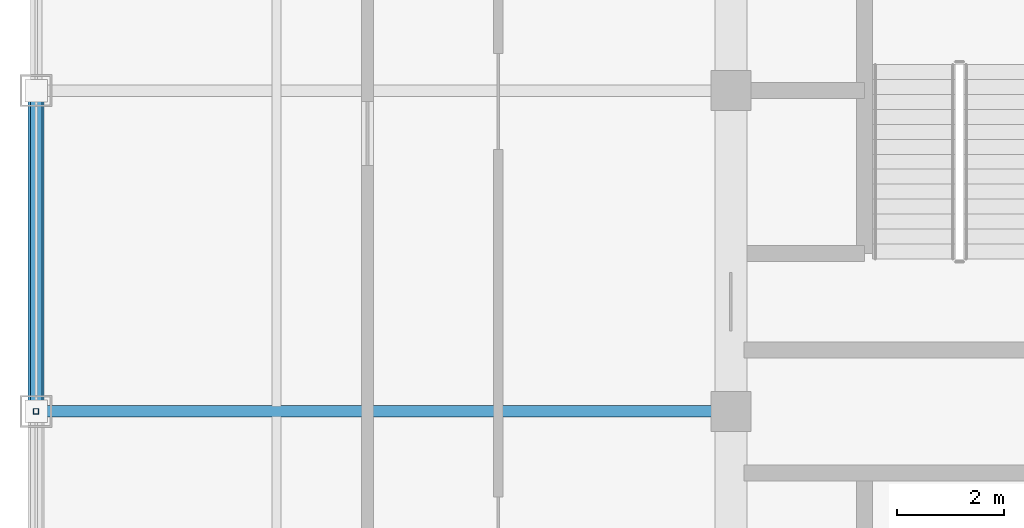
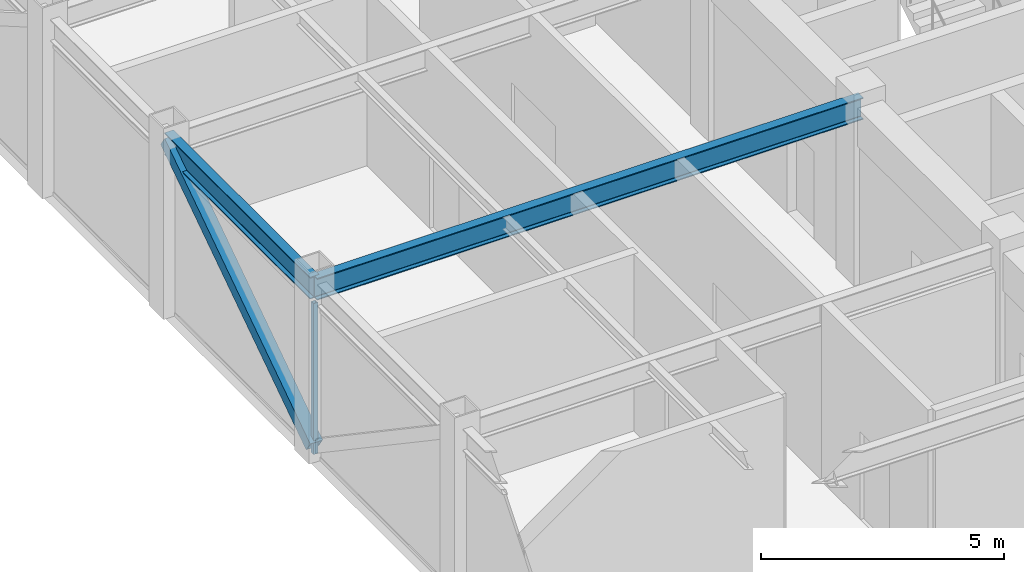
# One storey, part 6 of 27: 2 beams, 2 members, 1 element without a shape of its own.
"""IFC4 building model written with IfcOpenShell, lengths in metres."""

import ifcopenshell
import ifcopenshell.guid

model = None  # the IFC model being written
_history = None  # IfcOwnerHistory: only IFC2X3 demands one
_inside = {}  # id of a spatial element -> (the spatial element, [elements in it])
_under = {}  # id of a project, library or spatial element -> (it, [spatial elements below it])
_declared = {}  # id of a project -> (the project, [libraries it declares])
_typed = {}  # id of a type object -> (the type object, [elements of that type])
_made_of = {}  # id of a material, layer set ... -> (it, [elements and type objects made of it])


def new_model(schema):
    """Start an empty IFC model of exactly this schema.

    Asked for "IFC4X3", IfcOpenShell would pick the latest addendum, in which some entities
    have other attributes; the version numbers below select the first issue.
    IFC2X3 requires an IfcOwnerHistory on every rooted entity: one is made here for all.
    """
    global model, _history
    if schema == "IFC4X3":
        model = ifcopenshell.file(schema_version=(4, 3, 0, 0))
    else:
        model = ifcopenshell.file(schema=schema)
    _inside.clear()
    _under.clear()
    _declared.clear()
    _typed.clear()
    _made_of.clear()
    _history = None
    if model.schema == "IFC2X3":
        org = make("IfcOrganization", Name="unknown")
        user = make(
            "IfcPersonAndOrganization",
            ThePerson=make("IfcPerson", FamilyName="unknown"),
            TheOrganization=org,
        )
        app = make(
            "IfcApplication",
            ApplicationDeveloper=org,
            Version="unknown",
            ApplicationFullName="unknown",
            ApplicationIdentifier="unknown",
        )
        _history = make(
            "IfcOwnerHistory",
            OwningUser=user,
            OwningApplication=app,
            ChangeAction="ADDED",
            CreationDate=0,
        )
    return model


def make(cls, **values):
    """One entity of the class cls with the attributes given. An attribute that is None is left unset."""
    return model.create_entity(
        cls, **{name: value for name, value in values.items() if value is not None}
    )


def rooted(cls, **values):
    """An entity with a GlobalId (a new one), such as an element, a storey or a relation."""
    return make(cls, GlobalId=ifcopenshell.guid.new(), OwnerHistory=_history, **values)


def si_unit(unit_type, name, prefix=None):
    """IfcSIUnit, for example si_unit("LENGTHUNIT", "METRE", prefix="MILLI")."""
    return make("IfcSIUnit", UnitType=unit_type, Prefix=prefix, Name=name)


def assignment(units):
    """IfcUnitAssignment: the units of a project."""
    return None if units is None else make("IfcUnitAssignment", Units=units)


def point(xyz):
    """IfcCartesianPoint."""
    return None if xyz is None else make("IfcCartesianPoint", Coordinates=xyz)


def direction(xyz):
    """IfcDirection."""
    return None if xyz is None else make("IfcDirection", DirectionRatios=xyz)


def frame(location, z_axis=None, x_axis=None):
    """IfcAxis2Placement3D, a coordinate frame: its origin and axes. An axis left out is left unset."""
    return make(
        "IfcAxis2Placement3D",
        Location=point(location),
        Axis=direction(z_axis),
        RefDirection=direction(x_axis),
    )


def frame_2d(location, x_axis=None):
    """IfcAxis2Placement2D, a coordinate frame in the plane: its origin and x axis."""
    return make(
        "IfcAxis2Placement2D", Location=point(location), RefDirection=direction(x_axis)
    )


def origin():
    """The frame at (0, 0, 0) with its axes left unset."""
    return frame((0.0, 0.0, 0.0))


def origin_2d():
    """The frame at (0, 0) in the plane with its x axis left unset."""
    return frame_2d((0.0, 0.0))


def place(relative_to, where):
    """IfcLocalPlacement: puts the frame where relative to a parent placement (None: the world)."""
    return make(
        "IfcLocalPlacement", PlacementRelTo=relative_to, RelativePlacement=where
    )


def context(
    kind, dimensions, precision=None, world=None, true_north=None, identifier=None
):
    """IfcGeometricRepresentationContext, for example the 3D "Model" context."""
    return make(
        "IfcGeometricRepresentationContext",
        ContextIdentifier=identifier,
        ContextType=kind,
        CoordinateSpaceDimension=dimensions,
        Precision=precision,
        WorldCoordinateSystem=world,
        TrueNorth=true_north,
    )


def subcontext(parent, identifier, kind, view, scale=None):
    """IfcGeometricRepresentationSubContext, for example "Body" below "Model"."""
    return make(
        "IfcGeometricRepresentationSubContext",
        ContextIdentifier=identifier,
        ContextType=kind,
        ParentContext=parent,
        TargetScale=scale,
        TargetView=view,
    )


def project(units=None, contexts=None):
    """IfcProject with its units and contexts."""
    return rooted(
        "IfcProject",
        Name="project",
        RepresentationContexts=contexts,
        UnitsInContext=assignment(units),
    )


def spatial(cls, under=None, at=None, **own):
    """A site, building, storey or space (cls), placed at a placement, below another one or the project."""
    s = rooted(cls, ObjectPlacement=at, **own)
    if under is not None:
        _under.setdefault(under.id(), (under, []))[1].append(s)
    return s


def profile(cls, at=None, kind="AREA", **sizes):
    """A parametric profile (cls). Its sizes go by their IFC names, for example OverallWidth=200.0."""
    return make(cls, ProfileType=kind, Position=at, **sizes)


def hollow_rectangle(**sizes):
    """IfcRectangleHollowProfileDef."""
    return profile("IfcRectangleHollowProfileDef", **sizes)


def i_section(**sizes):
    """IfcIShapeProfileDef."""
    return profile("IfcIShapeProfileDef", **sizes)


def extrude(swept, where, along, depth):
    """IfcExtrudedAreaSolid: the profile swept, set in the frame where, extruded along a direction by depth."""
    return make(
        "IfcExtrudedAreaSolid",
        SweptArea=swept,
        Position=where,
        ExtrudedDirection=direction(along),
        Depth=depth,
    )


def shape(context_of_items, identifier, shape_type, items):
    """IfcShapeRepresentation: the items that make up one representation, for example the "Body"."""
    return make(
        "IfcShapeRepresentation",
        ContextOfItems=context_of_items,
        RepresentationIdentifier=identifier,
        RepresentationType=shape_type,
        Items=items,
    )


def source(mapping_origin, context_of_items, identifier, shape_type, items):
    """IfcRepresentationMap: a shape defined once, which mapped items show again and again."""
    return make(
        "IfcRepresentationMap",
        MappingOrigin=mapping_origin,
        MappedRepresentation=shape(context_of_items, identifier, shape_type, items),
    )


def transform(
    local_origin,
    x_axis=None,
    y_axis=None,
    z_axis=None,
    scale=None,
    scale2=None,
    scale3=None,
    uniform=True,
):
    """IfcCartesianTransformationOperator3D, or its non-uniform kind. x_axis, y_axis, z_axis: its Axis1, 2, 3."""
    if uniform:
        return make(
            "IfcCartesianTransformationOperator3D",
            Axis1=direction(x_axis),
            Axis2=direction(y_axis),
            LocalOrigin=point(local_origin),
            Scale=scale,
            Axis3=direction(z_axis),
        )
    return make(
        "IfcCartesianTransformationOperator3DnonUniform",
        Axis1=direction(x_axis),
        Axis2=direction(y_axis),
        LocalOrigin=point(local_origin),
        Scale=scale,
        Axis3=direction(z_axis),
        Scale2=scale2,
        Scale3=scale3,
    )


def mapped(mapping_source, mapping_target):
    """IfcMappedItem: shows the shape of a source again, moved by a transform."""
    return make(
        "IfcMappedItem", MappingSource=mapping_source, MappingTarget=mapping_target
    )


def material(Name=None, Category=None):
    """IfcMaterial."""
    return make("IfcMaterial", Name=Name, Category=Category)


def material_profile(
    of_material, cross_section, Name=None, Category=None, Priority=None
):
    """IfcMaterialProfile: a cross section and its material."""
    return make(
        "IfcMaterialProfile",
        Name=Name,
        Material=of_material,
        Profile=cross_section,
        Priority=Priority,
        Category=Category,
    )


def profile_set(profiles, Name=None, composite=None):
    """IfcMaterialProfileSet."""
    return make(
        "IfcMaterialProfileSet",
        Name=Name,
        MaterialProfiles=profiles,
        CompositeProfile=composite,
    )


def made_of(thing, what):
    """Note that an element or type object is made of a material, layer set ...; save() writes the relation."""
    if what is not None:
        _made_of.setdefault(what.id(), (what, []))[1].append(thing)
    return thing


def type_object(cls, material=None, **own):
    """A type object (cls), such as IfcWallType, which elements share."""
    return made_of(rooted(cls, **own), material)


def element(
    cls,
    number,
    at=None,
    inside=None,
    cuts=None,
    type_object=None,
    material=None,
    context=None,
    identifier="Body",
    shape_type=None,
    held_by="IfcProductDefinitionShape",
    body=None,
    shapes=None,
    **own,
):
    """One element of the class cls, such as IfcWall. Its Tag is "e" and its number.

    at: its placement. inside: the storey or other place that contains it. cuts: it is an
    opening in that element (IfcRelVoidsElement). A single representation is given by context,
    identifier, shape_type and body (its items); several are given by shapes. held_by: the class
    of the entity that holds the representations. save() writes the other relations.
    """
    e = rooted(cls, Tag="e%d" % number, ObjectPlacement=at, **own)
    if body is not None:
        shapes = [shape(context, identifier, shape_type, body)]
    if shapes is not None:
        e.Representation = make(held_by, Representations=shapes)
    if inside is not None:
        _inside.setdefault(inside.id(), (inside, []))[1].append(e)
    if cuts is not None:
        rooted(
            "IfcRelVoidsElement", RelatingBuildingElement=cuts, RelatedOpeningElement=e
        )
    if type_object is not None:
        _typed.setdefault(type_object.id(), (type_object, []))[1].append(e)
    return made_of(e, material)


def aggregate(whole, parts):
    """IfcRelAggregates: a whole, such as a stair, and the parts it consists of."""
    return rooted("IfcRelAggregates", RelatingObject=whole, RelatedObjects=parts)


def save(model, path):
    """Write the relations noted so far, then the file.

    IfcRelAggregates (storeys below a building ...), IfcRelContainedInSpatialStructure (elements
    in a storey), IfcRelDefinesByType, IfcRelAssociatesMaterial and IfcRelDeclares: one each for
    every whole, place, type object, material and project.
    """
    for whole, parts in _under.values():
        aggregate(whole, parts)
    for where, things in _inside.values():
        rooted(
            "IfcRelContainedInSpatialStructure",
            RelatedElements=things,
            RelatingStructure=where,
        )
    for kind, things in _typed.values():
        rooted("IfcRelDefinesByType", RelatedObjects=things, RelatingType=kind)
    for what, things in _made_of.values():
        rooted("IfcRelAssociatesMaterial", RelatedObjects=things, RelatingMaterial=what)
    for by, libraries in _declared.values():
        rooted("IfcRelDeclares", RelatingContext=by, RelatedDefinitions=libraries)
    model.write(path)


model = new_model("IFC4")

# Units and contexts
model_context = context("Model", 3, precision=1e-05, world=origin(), true_north=direction((0.0, 1.0)))
body_context = subcontext(model_context, "Body", "Model", "MODEL_VIEW")
ifc_project = project(units=[si_unit("LENGTHUNIT", "METRE"), si_unit("AREAUNIT", "SQUARE_METRE"), si_unit("VOLUMEUNIT", "CUBIC_METRE"), si_unit("PLANEANGLEUNIT", "RADIAN"), si_unit("MASSUNIT", "GRAM", prefix="KILO")], contexts=[model_context])

# Site, building, storey
site_placement = place(None, origin())
site = spatial("IfcSite", under=ifc_project, at=site_placement, CompositionType="ELEMENT")
building_placement = place(site_placement, origin())
building = spatial("IfcBuilding", under=site, at=building_placement, Name="Khorayat Bourse Tower", CompositionType="ELEMENT")
storey_placement = place(building_placement, frame((0.0, 0.0, 394.699951171875)))
storey = spatial("IfcBuildingStorey", under=building, at=storey_placement, Name="L93", CompositionType="ELEMENT", Elevation=394.699951171875)

# Beams
ifc_material_1 = material(Name="Steel ASTM A992 Grade 50", Category="steel")
ifc_material_profile_1 = material_profile(ifc_material_1, i_section(OverallWidth=0.214111328125, OverallDepth=0.549072265625, WebThickness=0.0146484375, FlangeThickness=0.023681640625, FilletRadius=0.013916015625, at=origin_2d()), Name="W530X138")
ifc_profile_set_1 = profile_set([ifc_material_profile_1], Name="Steel ASTM A992 Grade 50")
beam_type_1 = type_object("IfcBeamType", Name="BM-SPAN-530", PredefinedType="SPANDREL", material=ifc_profile_set_1)
shared_shape_1 = source(origin(), body_context, "Body", "SweptSolid", [
    extrude(i_section(OverallWidth=0.214111328125, OverallDepth=0.549072265625, WebThickness=0.0146484375, FlangeThickness=0.023681640625, FilletRadius=0.013916015625, at=origin_2d()), origin(), (0.0, 0.0, 1.0), 6.0),
])
beam_1_placement = place(storey_placement, frame((-24.0, 0.0, 4.175537109375), z_axis=(0.0, 1.0, 0.0), x_axis=(-1.0, 0.0, 0.0)))
element("IfcBeam", 1, at=beam_1_placement, inside=storey, type_object=beam_type_1, Name="L93 BM-SPAN-530 BM-L93-SPN-050", PredefinedType="SPANDREL", context=body_context, shape_type="MappedRepresentation", body=[
    mapped(shared_shape_1, transform((0.0, 0.0, 0.0), scale=1.0)),
])
ifc_material_profile_2 = material_profile(ifc_material_1, i_section(OverallWidth=0.214111328125, OverallDepth=0.549072265625, WebThickness=0.0146484375, FlangeThickness=0.023681640625, FilletRadius=0.013916015625, at=origin_2d()), Name="W530X138")
ifc_profile_set_2 = profile_set([ifc_material_profile_2], Name="Steel ASTM A992 Grade 50")
beam_type_2 = type_object("IfcBeamType", Name="BM-GIRD-530", PredefinedType="BEAM", material=ifc_profile_set_2)
shared_shape_2 = source(origin(), body_context, "Body", "SweptSolid", [
    extrude(i_section(OverallWidth=0.214111328125, OverallDepth=0.549072265625, WebThickness=0.0146484375, FlangeThickness=0.023681640625, FilletRadius=0.013916015625, at=origin_2d()), origin(), (0.0, 0.0, 1.0), 13.0),
])
beam_2_placement = place(storey_placement, frame((-24.0, 0.0, 4.175537109375), z_axis=(1.0, 0.0, 0.0), x_axis=(0.0, 1.0, 0.0)))
element("IfcBeam", 2, at=beam_2_placement, inside=storey, type_object=beam_type_2, Name="L93 BM-GIRD-530 BM-L93-RADX-071", PredefinedType="BEAM", context=body_context, shape_type="MappedRepresentation", body=[
    mapped(shared_shape_2, transform((0.0, 0.0, 0.0), scale=1.0)),
])

# Member
ifc_material_2 = material(Name="Steel EN 10025-2 S355J2", Category="steel")
ifc_material_profile_3 = material_profile(ifc_material_2, hollow_rectangle(XDim=0.300048828125, YDim=0.300048828125, WallThickness=0.01611328125, at=origin_2d()), Name="HSS 300x300x16")
ifc_profile_set_3 = profile_set([ifc_material_profile_3], Name="Steel EN 10025-2 S355J2")
member_type_1 = type_object("IfcMemberType", Name="MBR-CROWN-300", PredefinedType="USERDEFINED", material=ifc_profile_set_3)
shared_shape_3 = source(origin(), body_context, "Body", "SweptSolid", [
    extrude(hollow_rectangle(XDim=0.300048828125, YDim=0.300048828125, WallThickness=0.01611328125, at=origin_2d()), origin(), (0.0, 0.0, 1.0), 7.239013671875),
])
member_1_placement = place(storey_placement, frame((-24.0, 0.0, 0.199951171875), z_axis=(0.0, 0.828845546207, 0.559477488852), x_axis=(-1.0, 0.0, 0.0)))
element("IfcMember", 3, at=member_1_placement, inside=storey, type_object=member_type_1, Name="L93 Lantern Crown Frame Member 11", ObjectType="CROWN FRAME", PredefinedType="USERDEFINED", context=body_context, shape_type="MappedRepresentation", body=[
    mapped(shared_shape_3, transform((0.0, 0.0, 0.0), scale=1.0)),
])

# Curtain wall, member
ifc_material_3 = material(Name="Aluminium EN AW-6063 T6", Category="aluminium")
curtain_wall_type = type_object("IfcCurtainWallType", Name="CW-SYS-07", PredefinedType="NOTDEFINED", material=ifc_material_3)
curtain_wall_placement = place(storey_placement, origin())
curtain_wall = element("IfcCurtainWall", 4, at=curtain_wall_placement, inside=storey, type_object=curtain_wall_type, Name="L93 Curtain Wall CW-L93-W1", PredefinedType="NOTDEFINED")
ifc_material_profile_4 = material_profile(ifc_material_3, hollow_rectangle(XDim=0.10009765625, YDim=0.10009765625, WallThickness=0.0048828125, at=origin_2d()), Name="ALU 100x100x5")
ifc_profile_set_4 = profile_set([ifc_material_profile_4], Name="Aluminium EN AW-6063 T6")
member_type_2 = type_object("IfcMemberType", Name="CWM-LANTERN-100", PredefinedType="MULLION", material=ifc_profile_set_4)
shared_shape_4 = source(origin(), body_context, "Body", "SweptSolid", [
    extrude(hollow_rectangle(XDim=0.10009765625, YDim=0.10009765625, WallThickness=0.0048828125, at=origin_2d()), origin(), (0.0, 0.0, 1.0), 3.800048828125),
])
member_2_placement = place(storey_placement, frame((-24.0, 0.0, 0.0), z_axis=(0.0, 0.0, 1.0), x_axis=(-1.0, 0.0, 0.0)))
member_2 = element("IfcMember", 5, at=member_2_placement, type_object=member_type_2, Name="CW-L93-W1 Vertical Mullion 2", PredefinedType="MULLION", context=body_context, shape_type="MappedRepresentation", body=[
    mapped(shared_shape_4, transform((0.0, 0.0, 0.0), scale=1.0)),
])
aggregate(curtain_wall, [member_2])

save(model, "model.ifc")
